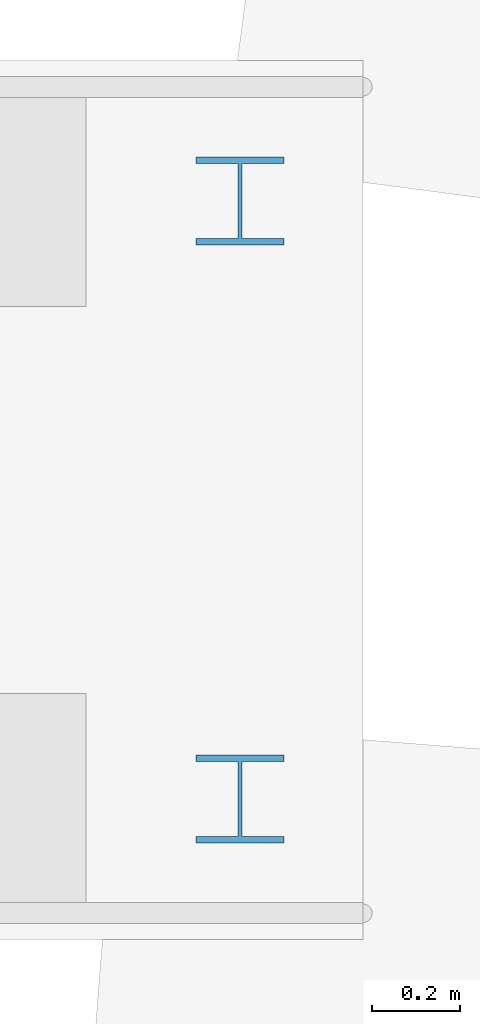
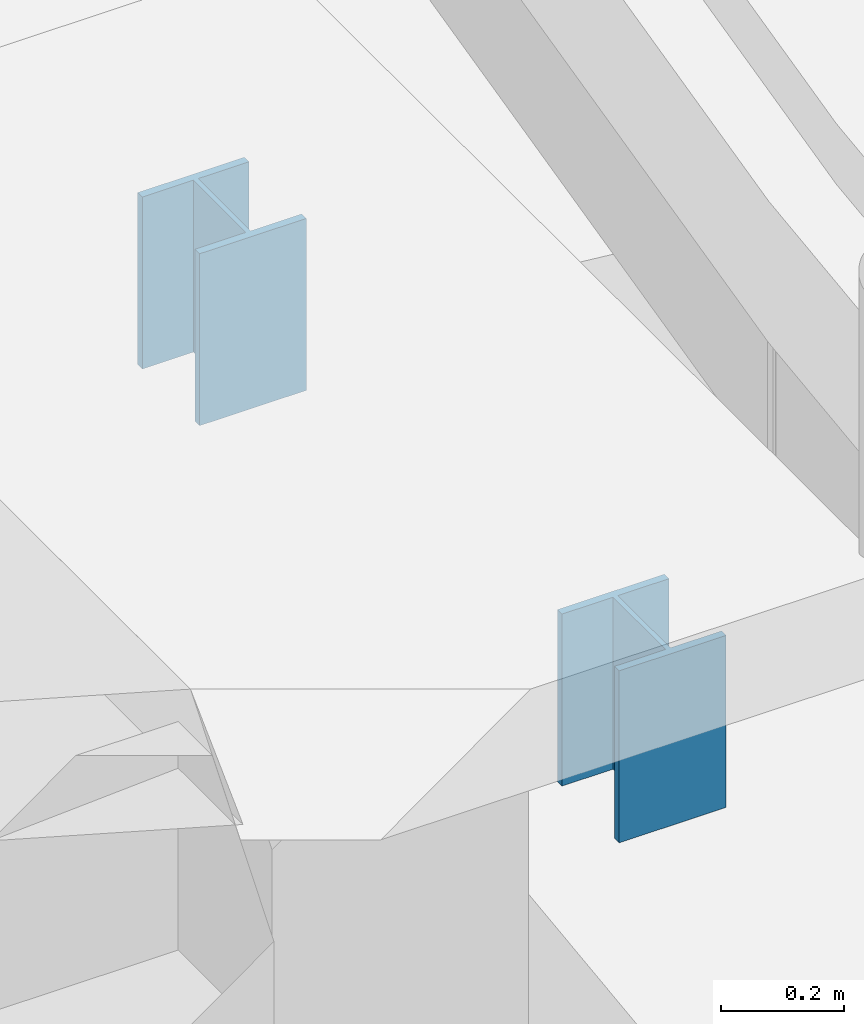
# One storey, part 26 of 109: 2 columns.
"""IFC4 building model written with IfcOpenShell, lengths in metres."""

from ifc_helpers import new_model, si_unit, direction, frame, origin, origin_2d, place, context, subcontext, project, spatial, i_section, extrude, material, material_profile, profile_set, type_object, element, save


model = new_model("IFC4")

# Units and contexts
model_context = context("Model", 3, precision=1e-05, world=origin(), true_north=direction((0.0, 1.0)))
body_context = subcontext(model_context, "Body", "Model", "MODEL_VIEW")
ifc_project = project(units=[si_unit("LENGTHUNIT", "METRE"), si_unit("AREAUNIT", "SQUARE_METRE"), si_unit("VOLUMEUNIT", "CUBIC_METRE"), si_unit("PLANEANGLEUNIT", "RADIAN"), si_unit("MASSUNIT", "GRAM", prefix="KILO")], contexts=[model_context])

# Site, building, storey
site_placement = place(None, origin())
site = spatial("IfcSite", under=ifc_project, at=site_placement, CompositionType="ELEMENT")
building_placement = place(site_placement, origin())
building = spatial("IfcBuilding", under=site, at=building_placement, Name="Montecoro Central Library", CompositionType="ELEMENT")
storey_placement = place(building_placement, origin())
storey = spatial("IfcBuildingStorey", under=building, at=storey_placement, Name="L00", CompositionType="ELEMENT", Elevation=0.0)

# Columns
ifc_material = material(Name="Steel S355", Category="steel")
ifc_material_profile = material_profile(ifc_material, i_section(OverallWidth=0.199951171875, OverallDepth=0.199951171875, WebThickness=0.009033203125, FlangeThickness=0.014892578125, at=origin_2d()), Name="HEB 200")
ifc_profile_set = profile_set([ifc_material_profile], Name="Steel S355")
column_type = type_object("IfcColumnType", Name="COL-HEB200", PredefinedType="COLUMN", material=ifc_profile_set)
for number, where, z_axis, x_axis, name in (
    (1, (59.198974609375, 57.592041015625, 0.0), (0.0, 0.0, 1.0), (1.0, 0.0, 0.0), "V1-RAMP-COL5-1"),
    (2, (59.198974609375, 58.951904296875, 0.0), (0.0, 0.0, 1.0), (1.0, 0.0, 0.0), "V1-RAMP-COL5-2"),
):
    element("IfcColumn", number, at=place(storey_placement, frame(where, z_axis=z_axis, x_axis=x_axis)), inside=storey, type_object=column_type, Name=name, PredefinedType="COLUMN", context=body_context, shape_type="SweptSolid", body=[
        extrude(i_section(OverallWidth=0.199951171875, OverallDepth=0.199951171875, WebThickness=0.009033203125, FlangeThickness=0.014892578125, at=origin_2d()), origin(), (0.0, 0.0, 1.0), 0.340087890625),
    ])

save(model, "model.ifc")
